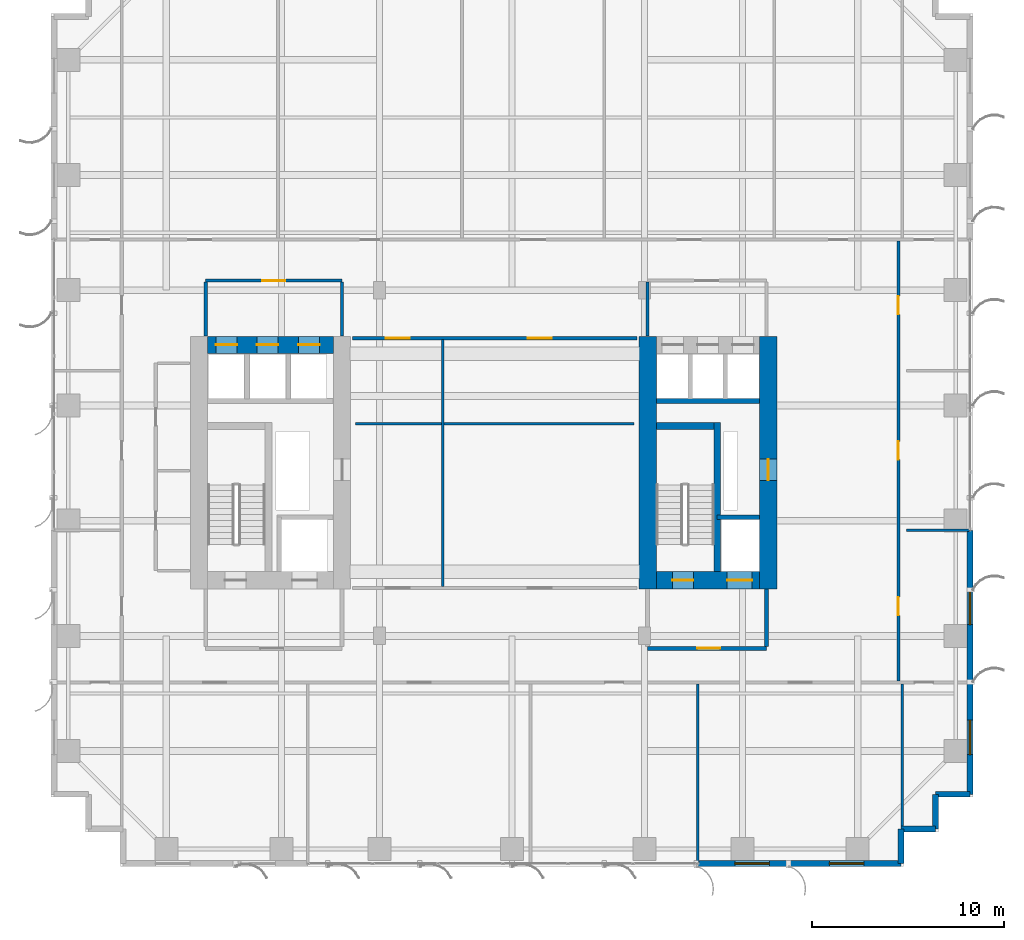
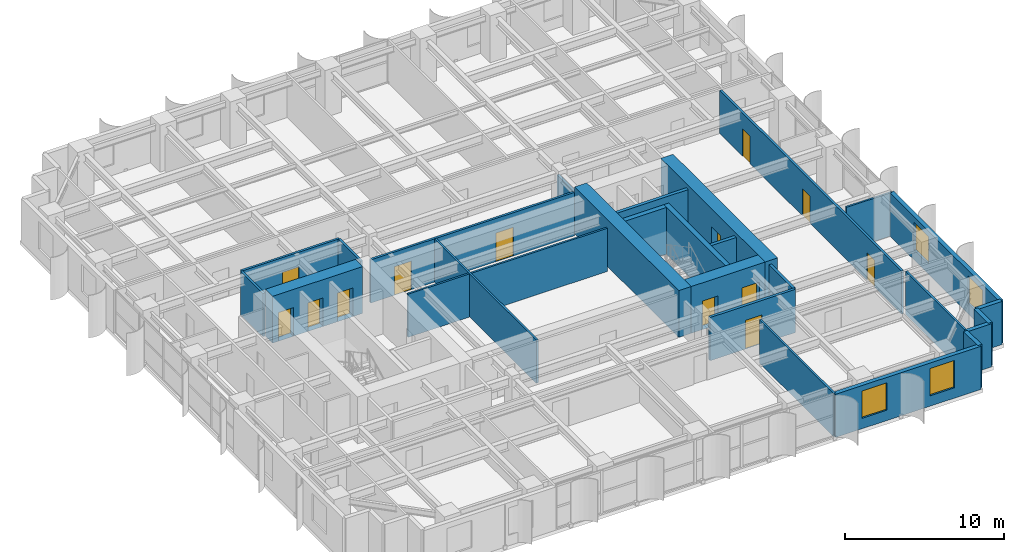
# One storey, part 19 of 25: 27 walls, 13 doors, 4 windows, 17 openings.
"""IFC4 building model written with IfcOpenShell, lengths in metres."""

from ifc_helpers import new_model, si_unit, direction, frame, frame_2d, origin, place, context, subcontext, project, spatial, rectangle, extrude, source, transform, mapped, material, layer, layer_set, type_object, element, fill, save


model = new_model("IFC4")

# Units and contexts
model_context = context("Model", 3, precision=1e-05, world=origin(), true_north=direction((0.0, 1.0)))
body_context = subcontext(model_context, "Body", "Model", "MODEL_VIEW")
ifc_project = project(units=[si_unit("LENGTHUNIT", "METRE"), si_unit("AREAUNIT", "SQUARE_METRE"), si_unit("VOLUMEUNIT", "CUBIC_METRE"), si_unit("PLANEANGLEUNIT", "RADIAN"), si_unit("MASSUNIT", "GRAM", prefix="KILO")], contexts=[model_context])

# Site, building, storey
site_placement = place(None, origin())
site = spatial("IfcSite", under=ifc_project, at=site_placement, CompositionType="ELEMENT")
building_placement = place(site_placement, origin())
building = spatial("IfcBuilding", under=site, at=building_placement, Name="Khoralis Quay Care Tower", CompositionType="ELEMENT")
storey_placement = place(building_placement, frame((0.0, 0.0, 51.300048828125)))
storey = spatial("IfcBuildingStorey", under=building, at=storey_placement, Name="L13", CompositionType="ELEMENT", Elevation=51.300048828125)

# Wall, opening, door
ifc_material_1 = material(Name="Gypsum plasterboard on acoustic metal stud")
ifc_layer_1 = layer(ifc_material_1, 0.199951171875)
ifc_layer_set_1 = layer_set([ifc_layer_1], Name="Gypsum plasterboard on acoustic metal stud")
wall_type_1 = type_object("IfcWallType", Name="WL-COMP-200", PredefinedType="PARTITIONING", material=ifc_layer_set_1)
wall_1_placement = place(storey_placement, frame((31.050048828125, 11.35009765625, 0.0), z_axis=(0.0, 0.0, 1.0), x_axis=(1.0, 0.0, 0.0)))
wall_1 = element("IfcWall", 1, at=wall_1_placement, inside=storey, type_object=wall_type_1, Name="L13 East Firefighting Lobby South Wall", PredefinedType="PARTITIONING", context=body_context, shape_type="SweptSolid", body=[
    extrude(rectangle(XDim=6.199951171875, YDim=0.199951171875, at=frame_2d((3.10009765625, 0.0))), origin(), (0.0, 0.0, 1.0), 3.320068359375),
])
opening_1_placement = place(wall_1_placement, frame((2.585693359375, 0.0, 0.0)))
opening_1 = element("IfcOpeningElement", 2, at=opening_1_placement, cuts=wall_1, Name="Opening FD1", PredefinedType="OPENING", context=body_context, shape_type="SweptSolid", body=[
    extrude(rectangle(XDim=1.199951171875, YDim=2.199951171875, at=frame_2d((0.60009765625, 1.10009765625))), frame((0.0, 0.10986328125, 0.0), z_axis=(0.0, -1.0, 0.0), x_axis=(1.0, 0.0, 0.0)), (0.0, 0.0, 1.0), 0.219970703125),
])
ifc_material_2 = material(Name="Fire-rated painted steel", Category="steel")
door_type_1 = type_object("IfcDoorType", Name="DR-FFL-1200X2200", OperationType="NOTDEFINED", PredefinedType="DOOR", material=ifc_material_2)
shared_shape_1 = source(origin(), body_context, "Body", "SweptSolid", [
    extrude(rectangle(XDim=1.199951171875, YDim=2.199951171875, at=frame_2d((0.60009765625, 1.10009765625))), frame((0.0, 0.02490234375, 0.0), z_axis=(0.0, -1.0, 0.0), x_axis=(1.0, 0.0, 0.0)), (0.0, 0.0, 1.0), 0.050048828125),
])
door_1_placement = place(opening_1_placement, origin())
door_1 = element("IfcDoor", 3, at=door_1_placement, inside=storey, type_object=door_type_1, Name="L13 East Firefighting Lobby Fire Door", OperationType="SINGLE_SWING_RIGHT", OverallHeight=2.199951171875, OverallWidth=1.199951171875, PredefinedType="DOOR", context=body_context, shape_type="MappedRepresentation", body=[
    mapped(shared_shape_1, transform((0.0, 0.0, 0.0), scale=1.0)),
])
fill(opening_1, door_1)

# Wall
wall_2_placement = place(storey_placement, frame((37.25, 11.445068359375, 0.0), z_axis=(0.0, 0.0, 1.0), x_axis=(0.0, 1.0, 0.0)))
element("IfcWall", 4, at=wall_2_placement, inside=storey, type_object=wall_type_1, Name="L13 East Firefighting Lobby East Wall", PredefinedType="PARTITIONING", context=body_context, shape_type="SweptSolid", body=[
    extrude(rectangle(XDim=2.98486328125, YDim=0.199951171875, at=frame_2d((1.492431640625, 0.0))), origin(), (0.0, 0.0, 1.0), 3.320068359375),
])

# Wall, openings, doors
ifc_material_3 = material(Name="Concrete C80/95", Category="concrete")
ifc_layer_2 = layer(ifc_material_3, 0.89990234375)
ifc_layer_set_2 = layer_set([ifc_layer_2], Name="Concrete C80/95")
wall_type_2 = type_object("IfcWallType", Name="WL-CORE-900", PredefinedType="SHEAR", material=ifc_layer_set_2)
wall_3_placement = place(storey_placement, frame((8.14990234375, 27.14990234375, 0.0), z_axis=(0.0, 0.0, 1.0), x_axis=(1.0, 0.0, 0.0)))
wall_3 = element("IfcWall", 5, at=wall_3_placement, inside=storey, type_object=wall_type_2, Name="L13 WCORE North Shear Wall", PredefinedType="SHEAR", context=body_context, shape_type="SweptSolid", body=[
    extrude(rectangle(XDim=6.550048828125, YDim=0.89990234375, at=frame_2d((3.27490234375, 0.0))), origin(), (0.0, 0.0, 1.0), 3.599853515625),
])
opening_2_placement = place(wall_3_placement, frame((0.429931640625, 0.0, 0.0)))
opening_2 = element("IfcOpeningElement", 6, at=opening_2_placement, cuts=wall_3, Name="Opening LD1", PredefinedType="OPENING", context=body_context, shape_type="SweptSolid", body=[
    extrude(rectangle(XDim=1.10009765625, YDim=2.199951171875, at=frame_2d((0.550048828125, 1.10009765625))), frame((0.0, 0.4599609375, 0.0), z_axis=(0.0, -1.0, 0.0), x_axis=(1.0, 0.0, 0.0)), (0.0, 0.0, 1.0), 0.919921875),
])
opening_3_placement = place(wall_3_placement, frame((2.570068359375, 0.0, 0.0)))
opening_3 = element("IfcOpeningElement", 7, at=opening_3_placement, cuts=wall_3, Name="Opening LD1", PredefinedType="OPENING", context=body_context, shape_type="SweptSolid", body=[
    extrude(rectangle(XDim=1.10009765625, YDim=2.199951171875, at=frame_2d((0.550048828125, 1.10009765625))), frame((0.0, 0.4599609375, 0.0), z_axis=(0.0, -1.0, 0.0), x_axis=(1.0, 0.0, 0.0)), (0.0, 0.0, 1.0), 0.919921875),
])
opening_4_placement = place(wall_3_placement, frame((4.72998046875, 0.0, 0.0)))
opening_4 = element("IfcOpeningElement", 8, at=opening_4_placement, cuts=wall_3, Name="Opening LD1", PredefinedType="OPENING", context=body_context, shape_type="SweptSolid", body=[
    extrude(rectangle(XDim=1.10009765625, YDim=2.199951171875, at=frame_2d((0.550048828125, 1.10009765625))), frame((0.0, 0.4599609375, 0.0), z_axis=(0.0, -1.0, 0.0), x_axis=(1.0, 0.0, 0.0)), (0.0, 0.0, 1.0), 0.919921875),
])
ifc_material_4 = material(Name="Brushed stainless steel", Category="steel")
door_type_2 = type_object("IfcDoorType", Name="DR-LIFT-1100X2200", OperationType="SLIDING_TO_LEFT", PredefinedType="DOOR", material=ifc_material_4)
shared_shape_2 = source(origin(), body_context, "Body", "SweptSolid", [
    extrude(rectangle(XDim=1.10009765625, YDim=2.199951171875, at=frame_2d((0.550048828125, 1.10009765625))), frame((0.0, 0.02490234375, 0.0), z_axis=(0.0, -1.0, 0.0), x_axis=(1.0, 0.0, 0.0)), (0.0, 0.0, 1.0), 0.050048828125),
])
door_2_placement = place(opening_2_placement, origin())
door_2 = element("IfcDoor", 9, at=door_2_placement, inside=storey, type_object=door_type_2, Name="L13 Lift PLL1 Landing Door", OperationType="SLIDING_TO_LEFT", OverallHeight=2.199951171875, OverallWidth=1.10009765625, PredefinedType="DOOR", context=body_context, shape_type="MappedRepresentation", body=[
    mapped(shared_shape_2, transform((0.0, 0.0, 0.0), scale=1.0)),
])
fill(opening_2, door_2)
door_3_placement = place(opening_3_placement, origin())
door_3 = element("IfcDoor", 10, at=door_3_placement, inside=storey, type_object=door_type_2, Name="L13 Lift PLM1 Landing Door", OperationType="SLIDING_TO_LEFT", OverallHeight=2.199951171875, OverallWidth=1.10009765625, PredefinedType="DOOR", context=body_context, shape_type="MappedRepresentation", body=[
    mapped(shared_shape_2, transform((0.0, 0.0, 0.0), scale=1.0)),
])
fill(opening_3, door_3)
door_4_placement = place(opening_4_placement, origin())
door_4 = element("IfcDoor", 11, at=door_4_placement, inside=storey, type_object=door_type_2, Name="L13 Lift PLH1 Landing Door", OperationType="SLIDING_TO_LEFT", OverallHeight=2.199951171875, OverallWidth=1.10009765625, PredefinedType="DOOR", context=body_context, shape_type="MappedRepresentation", body=[
    mapped(shared_shape_2, transform((0.0, 0.0, 0.0), scale=1.0)),
])
fill(opening_4, door_4)

# Wall
wall_4_placement = place(storey_placement, frame((31.070068359375, 14.449951171875, 0.0), z_axis=(0.0, 0.0, 1.0), x_axis=(0.0, 1.0, 0.0)))
element("IfcWall", 12, at=wall_4_placement, inside=storey, type_object=wall_type_2, Name="L13 ECORE West Shear Wall", PredefinedType="SHEAR", context=body_context, shape_type="SweptSolid", body=[
    extrude(rectangle(XDim=13.150146484375, YDim=0.89990234375, at=frame_2d((6.5751953125, 0.0))), origin(), (0.0, 0.0, 1.0), 3.599853515625),
])

# Wall, opening, door
wall_5_placement = place(storey_placement, frame((37.35009765625, 14.449951171875, 0.0), z_axis=(0.0, 0.0, 1.0), x_axis=(0.0, 1.0, 0.0)))
wall_5 = element("IfcWall", 13, at=wall_5_placement, inside=storey, type_object=wall_type_2, Name="L13 ECORE East Shear Wall", PredefinedType="SHEAR", context=body_context, shape_type="SweptSolid", body=[
    extrude(rectangle(XDim=13.150146484375, YDim=0.89990234375, at=frame_2d((6.5751953125, 0.0))), origin(), (0.0, 0.0, 1.0), 3.599853515625),
])
opening_5_placement = place(wall_5_placement, frame((5.64990234375, 0.0, 0.0)))
opening_5 = element("IfcOpeningElement", 14, at=opening_5_placement, cuts=wall_5, Name="Opening SD1", PredefinedType="OPENING", context=body_context, shape_type="SweptSolid", body=[
    extrude(rectangle(XDim=1.10009765625, YDim=2.199951171875, at=frame_2d((0.550048828125, 1.10009765625))), frame((0.0, 0.4599609375, 0.0), z_axis=(0.0, -1.0, 0.0), x_axis=(1.0, 0.0, 0.0)), (0.0, 0.0, 1.0), 0.919921875),
])
door_type_3 = type_object("IfcDoorType", Name="DR-STAIR-1100X2200", OperationType="NOTDEFINED", PredefinedType="DOOR", material=ifc_material_2)
shared_shape_3 = source(origin(), body_context, "Body", "SweptSolid", [
    extrude(rectangle(XDim=1.10009765625, YDim=2.199951171875, at=frame_2d((0.550048828125, 1.10009765625))), frame((0.0, 0.02490234375, 0.0), z_axis=(0.0, -1.0, 0.0), x_axis=(1.0, 0.0, 0.0)), (0.0, 0.0, 1.0), 0.050048828125),
])
door_5_placement = place(opening_5_placement, frame((1.10009765625, 0.0, 0.0), z_axis=(0.0, 0.0, 1.0), x_axis=(-1.0, 0.0, 0.0)))
door_5 = element("IfcDoor", 15, at=door_5_placement, inside=storey, type_object=door_type_3, Name="L13 East MEP Riser Door", OperationType="SINGLE_SWING_RIGHT", OverallHeight=2.199951171875, OverallWidth=1.10009765625, PredefinedType="DOOR", context=body_context, shape_type="MappedRepresentation", body=[
    mapped(shared_shape_3, transform((0.0, 0.0, 0.0), scale=1.0)),
])
fill(opening_5, door_5)

# Wall, openings, doors
wall_6_placement = place(storey_placement, frame((31.52001953125, 14.89990234375, 0.0), z_axis=(0.0, 0.0, 1.0), x_axis=(1.0, 0.0, 0.0)))
wall_6 = element("IfcWall", 16, at=wall_6_placement, inside=storey, type_object=wall_type_2, Name="L13 ECORE South Shear Wall", PredefinedType="SHEAR", context=body_context, shape_type="SweptSolid", body=[
    extrude(rectangle(XDim=5.3798828125, YDim=0.89990234375, at=frame_2d((2.68994140625, 0.0))), origin(), (0.0, 0.0, 1.0), 3.599853515625),
])
opening_6_placement = place(wall_6_placement, frame((0.830078125, 0.0, 0.0)))
opening_6 = element("IfcOpeningElement", 17, at=opening_6_placement, cuts=wall_6, Name="Opening SD1", PredefinedType="OPENING", context=body_context, shape_type="SweptSolid", body=[
    extrude(rectangle(XDim=1.10009765625, YDim=2.199951171875, at=frame_2d((0.550048828125, 1.10009765625))), frame((0.0, 0.4599609375, 0.0), z_axis=(0.0, -1.0, 0.0), x_axis=(1.0, 0.0, 0.0)), (0.0, 0.0, 1.0), 0.919921875),
])
opening_7_placement = place(wall_6_placement, frame((3.679931640625, 0.0, 0.0)))
opening_7 = element("IfcOpeningElement", 18, at=opening_7_placement, cuts=wall_6, Name="Opening LD2", PredefinedType="OPENING", context=body_context, shape_type="SweptSolid", body=[
    extrude(rectangle(XDim=1.300048828125, YDim=2.199951171875, at=frame_2d((0.64990234375, 1.10009765625))), frame((0.0, 0.4599609375, 0.0), z_axis=(0.0, -1.0, 0.0), x_axis=(1.0, 0.0, 0.0)), (0.0, 0.0, 1.0), 0.919921875),
])
door_6_placement = place(opening_6_placement, origin())
door_6 = element("IfcDoor", 19, at=door_6_placement, inside=storey, type_object=door_type_3, Name="L13 Stair ST-T2 Fire Door", OperationType="SINGLE_SWING_RIGHT", OverallHeight=2.199951171875, OverallWidth=1.10009765625, PredefinedType="DOOR", context=body_context, shape_type="MappedRepresentation", body=[
    mapped(shared_shape_3, transform((0.0, 0.0, 0.0), scale=1.0)),
])
fill(opening_6, door_6)
door_type_4 = type_object("IfcDoorType", Name="DR-LIFT-1300X2200", OperationType="SLIDING_TO_RIGHT", PredefinedType="DOOR", material=ifc_material_4)
shared_shape_4 = source(origin(), body_context, "Body", "SweptSolid", [
    extrude(rectangle(XDim=1.300048828125, YDim=2.199951171875, at=frame_2d((0.64990234375, 1.10009765625))), frame((0.0, 0.02490234375, 0.0), z_axis=(0.0, -1.0, 0.0), x_axis=(1.0, 0.0, 0.0)), (0.0, 0.0, 1.0), 0.050048828125),
])
door_7_placement = place(opening_7_placement, origin())
door_7 = element("IfcDoor", 20, at=door_7_placement, inside=storey, type_object=door_type_4, Name="L13 Firefighting Lift FFL-2 Landing Door", OperationType="SLIDING_TO_RIGHT", OverallHeight=2.199951171875, OverallWidth=1.300048828125, PredefinedType="DOOR", context=body_context, shape_type="MappedRepresentation", body=[
    mapped(shared_shape_4, transform((0.0, 0.0, 0.0), scale=1.0)),
])
fill(opening_7, door_7)

# Wall, opening, door
ifc_layer_3 = layer(ifc_material_1, 0.1650390625)
ifc_layer_set_3 = layer_set([ifc_layer_3], Name="Gypsum plasterboard on acoustic metal stud")
wall_type_3 = type_object("IfcWallType", Name="WL-CORR-165", PredefinedType="PARTITIONING", material=ifc_layer_set_3)
wall_7_placement = place(storey_placement, frame((8.050048828125, 30.5, 0.0), z_axis=(0.0, 0.0, 1.0), x_axis=(1.0, 0.0, 0.0)))
wall_7 = element("IfcWall", 21, at=wall_7_placement, inside=storey, type_object=wall_type_3, Name="L13 West Lift Lobby North Wall", PredefinedType="PARTITIONING", context=body_context, shape_type="SweptSolid", body=[
    extrude(rectangle(XDim=7.099853515625, YDim=0.1650390625, at=frame_2d((3.5498046875, 0.0))), origin(), (0.0, 0.0, 1.0), 3.320068359375),
])
opening_8_placement = place(wall_7_placement, frame((2.949951171875, 0.0, 0.0)))
opening_8 = element("IfcOpeningElement", 22, at=opening_8_placement, cuts=wall_7, Name="Opening FD1", PredefinedType="OPENING", context=body_context, shape_type="SweptSolid", body=[
    extrude(rectangle(XDim=1.199951171875, YDim=2.199951171875, at=frame_2d((0.60009765625, 1.10009765625))), frame((0.0, 0.092529296875, 0.0), z_axis=(0.0, -1.0, 0.0), x_axis=(1.0, 0.0, 0.0)), (0.0, 0.0, 1.0), 0.18505859375),
])
door_8_placement = place(opening_8_placement, origin())
door_8 = element("IfcDoor", 23, at=door_8_placement, inside=storey, type_object=door_type_1, Name="L13 West Lift Lobby Double Door", OperationType="DOUBLE_DOOR_SINGLE_SWING", OverallHeight=2.199951171875, OverallWidth=1.199951171875, PredefinedType="DOOR", context=body_context, shape_type="MappedRepresentation", body=[
    mapped(shared_shape_1, transform((0.0, 0.0, 0.0), scale=1.0)),
])
fill(opening_8, door_8)

# Walls
for number, where, z_axis, x_axis, name in (
    (24, (8.050048828125, 27.6201171875, 0.0), (0.0, 0.0, 1.0), (0.0, 1.0, 0.0), "L13 West Lift Lobby West Wall"),
    (25, (15.14990234375, 27.6201171875, 0.0), (0.0, 0.0, 1.0), (0.0, 1.0, 0.0), "L13 West Lift Lobby East Wall"),
):
    element("IfcWall", number, at=place(storey_placement, frame(where, z_axis=z_axis, x_axis=x_axis)), inside=storey, type_object=wall_type_3, Name=name, PredefinedType="PARTITIONING", context=body_context, shape_type="SweptSolid", body=[
        extrude(rectangle(XDim=2.802490234375, YDim=0.1650390625, at=frame_2d((1.4013671875, 0.0))), origin(), (0.0, 0.0, 1.0), 3.320068359375),
    ])
wall_8_placement = place(storey_placement, frame((31.050048828125, 27.6201171875, 0.0), z_axis=(0.0, 0.0, 1.0), x_axis=(0.0, 1.0, 0.0)))
element("IfcWall", 26, at=wall_8_placement, inside=storey, type_object=wall_type_3, Name="L13 East Lift Lobby West Wall", PredefinedType="PARTITIONING", context=body_context, shape_type="SweptSolid", body=[
    extrude(rectangle(XDim=2.802490234375, YDim=0.1650390625, at=frame_2d((1.4013671875, 0.0))), origin(), (0.0, 0.0, 1.0), 2.703857421875),
])

# Wall, openings, doors
wall_9_placement = place(storey_placement, frame((44.1201171875, 9.657470703125, 0.0), z_axis=(0.0, 0.0, 1.0), x_axis=(0.0, 1.0, 0.0)))
wall_9 = element("IfcWall", 27, at=wall_9_placement, inside=storey, type_object=wall_type_3, Name="L13 East Loop Corridor Wall", PredefinedType="PARTITIONING", context=body_context, shape_type="SweptSolid", body=[
    extrude(rectangle(XDim=22.905029296875, YDim=0.1650390625, at=frame_2d((11.45263671875, 0.0))), origin(), (0.0, 0.0, 1.0), 3.320068359375),
])
opening_9_placement = place(wall_9_placement, frame((3.407470703125, 0.0, 0.0)))
opening_9 = element("IfcOpeningElement", 28, at=opening_9_placement, cuts=wall_9, Name="Opening ID1", PredefinedType="OPENING", context=body_context, shape_type="SweptSolid", body=[
    extrude(rectangle(XDim=0.949951171875, YDim=2.10009765625, at=frame_2d((0.47509765625, 1.050048828125))), frame((0.0, 0.092529296875, 0.0), z_axis=(0.0, -1.0, 0.0), x_axis=(1.0, 0.0, 0.0)), (0.0, 0.0, 1.0), 0.18505859375),
])
opening_10_placement = place(wall_9_placement, frame((11.517578125, 0.0, 0.0)))
opening_10 = element("IfcOpeningElement", 29, at=opening_10_placement, cuts=wall_9, Name="Opening ID1", PredefinedType="OPENING", context=body_context, shape_type="SweptSolid", body=[
    extrude(rectangle(XDim=0.949951171875, YDim=2.10009765625, at=frame_2d((0.47509765625, 1.050048828125))), frame((0.0, 0.092529296875, 0.0), z_axis=(0.0, -1.0, 0.0), x_axis=(1.0, 0.0, 0.0)), (0.0, 0.0, 1.0), 0.18505859375),
])
opening_11_placement = place(wall_9_placement, frame((19.08740234375, 0.0, 0.0)))
opening_11 = element("IfcOpeningElement", 30, at=opening_11_placement, cuts=wall_9, Name="Opening ID1", PredefinedType="OPENING", context=body_context, shape_type="SweptSolid", body=[
    extrude(rectangle(XDim=0.949951171875, YDim=2.10009765625, at=frame_2d((0.47509765625, 1.050048828125))), frame((0.0, 0.092529296875, 0.0), z_axis=(0.0, -1.0, 0.0), x_axis=(1.0, 0.0, 0.0)), (0.0, 0.0, 1.0), 0.18505859375),
])
ifc_material_5 = material(Name="Acoustic hardwood timber", Category="wood")
door_type_5 = type_object("IfcDoorType", Name="DR-ROOM-950X2100", OperationType="NOTDEFINED", PredefinedType="DOOR", material=ifc_material_5)
shared_shape_5 = source(origin(), body_context, "Body", "SweptSolid", [
    extrude(rectangle(XDim=0.949951171875, YDim=2.10009765625, at=frame_2d((0.47509765625, 1.050048828125))), frame((0.0, 0.02490234375, 0.0), z_axis=(0.0, -1.0, 0.0), x_axis=(1.0, 0.0, 0.0)), (0.0, 0.0, 1.0), 0.050048828125),
])
door_9_placement = place(opening_9_placement, frame((0.949951171875, 0.0, 0.0), z_axis=(0.0, 0.0, 1.0), x_axis=(-1.0, 0.0, 0.0)))
door_9 = element("IfcDoor", 31, at=door_9_placement, inside=storey, type_object=door_type_5, Name="L13 Therapy Consultation Room Door", OperationType="SINGLE_SWING_LEFT", OverallHeight=2.10009765625, OverallWidth=0.949951171875, PredefinedType="DOOR", context=body_context, shape_type="MappedRepresentation", body=[
    mapped(shared_shape_5, transform((0.0, 0.0, 0.0), scale=1.0)),
])
fill(opening_9, door_9)
door_10_placement = place(opening_10_placement, frame((0.949951171875, 0.0, 0.0), z_axis=(0.0, 0.0, 1.0), x_axis=(-1.0, 0.0, 0.0)))
door_10 = element("IfcDoor", 32, at=door_10_placement, inside=storey, type_object=door_type_5, Name="L13 Assisted Activity Lounge Door", OperationType="SINGLE_SWING_RIGHT", OverallHeight=2.10009765625, OverallWidth=0.949951171875, PredefinedType="DOOR", context=body_context, shape_type="MappedRepresentation", body=[
    mapped(shared_shape_5, transform((0.0, 0.0, 0.0), scale=1.0)),
])
fill(opening_10, door_10)
door_11_placement = place(opening_11_placement, frame((0.949951171875, 0.0, 0.0), z_axis=(0.0, 0.0, 1.0), x_axis=(-1.0, 0.0, 0.0)))
door_11 = element("IfcDoor", 33, at=door_11_placement, inside=storey, type_object=door_type_5, Name="L13 Nurse Charting Office Door", OperationType="SINGLE_SWING_LEFT", OverallHeight=2.10009765625, OverallWidth=0.949951171875, PredefinedType="DOOR", context=body_context, shape_type="MappedRepresentation", body=[
    mapped(shared_shape_5, transform((0.0, 0.0, 0.0), scale=1.0)),
])
fill(opening_11, door_11)

wall_10_placement = place(storey_placement, frame((15.699951171875, 27.5, 0.0), z_axis=(0.0, 0.0, 1.0), x_axis=(1.0, 0.0, 0.0)))
wall_10 = element("IfcWall", 34, at=wall_10_placement, inside=storey, type_object=wall_type_3, Name="L13 Central Clinical North Wall", PredefinedType="PARTITIONING", context=body_context, shape_type="SweptSolid", body=[
    extrude(rectangle(XDim=14.800048828125, YDim=0.1650390625, at=frame_2d((7.39990234375, 0.0))), origin(), (0.0, 0.0, 1.0), 3.320068359375),
])
opening_12_placement = place(wall_10_placement, frame((1.72509765625, 0.0, 0.0)))
opening_12 = element("IfcOpeningElement", 35, at=opening_12_placement, cuts=wall_10, Name="Opening CD1", PredefinedType="OPENING", context=body_context, shape_type="SweptSolid", body=[
    extrude(rectangle(XDim=1.25, YDim=2.199951171875, at=frame_2d((0.625, 1.10009765625))), frame((0.0, 0.092529296875, 0.0), z_axis=(0.0, -1.0, 0.0), x_axis=(1.0, 0.0, 0.0)), (0.0, 0.0, 1.0), 0.18505859375),
])
opening_13_placement = place(wall_10_placement, frame((9.125, 0.0, 0.0)))
opening_13 = element("IfcOpeningElement", 36, at=opening_13_placement, cuts=wall_10, Name="Opening CD1", PredefinedType="OPENING", context=body_context, shape_type="SweptSolid", body=[
    extrude(rectangle(XDim=1.25, YDim=2.199951171875, at=frame_2d((0.625, 1.10009765625))), frame((0.0, 0.092529296875, 0.0), z_axis=(0.0, -1.0, 0.0), x_axis=(1.0, 0.0, 0.0)), (0.0, 0.0, 1.0), 0.18505859375),
])
door_type_6 = type_object("IfcDoorType", Name="DR-CARE-1250X2200", OperationType="NOTDEFINED", PredefinedType="DOOR", material=ifc_material_5)
shared_shape_6 = source(origin(), body_context, "Body", "SweptSolid", [
    extrude(rectangle(XDim=1.25, YDim=2.199951171875, at=frame_2d((0.625, 1.10009765625))), frame((0.0, 0.02490234375, 0.0), z_axis=(0.0, -1.0, 0.0), x_axis=(1.0, 0.0, 0.0)), (0.0, 0.0, 1.0), 0.050048828125),
])
door_12_placement = place(opening_12_placement, frame((1.25, 0.0, 0.0), z_axis=(0.0, 0.0, 1.0), x_axis=(-1.0, 0.0, 0.0)))
door_12 = element("IfcDoor", 37, at=door_12_placement, inside=storey, type_object=door_type_6, Name="L13 Library Lounge Door", OperationType="SINGLE_SWING_LEFT", OverallHeight=2.199951171875, OverallWidth=1.25, PredefinedType="DOOR", context=body_context, shape_type="MappedRepresentation", body=[
    mapped(shared_shape_6, transform((0.0, 0.0, 0.0), scale=1.0)),
])
fill(opening_12, door_12)
door_13_placement = place(opening_13_placement, frame((1.25, 0.0, 0.0), z_axis=(0.0, 0.0, 1.0), x_axis=(-1.0, 0.0, 0.0)))
door_13 = element("IfcDoor", 38, at=door_13_placement, inside=storey, type_object=door_type_6, Name="L13 Occupational Therapy Door", OperationType="SINGLE_SWING_RIGHT", OverallHeight=2.199951171875, OverallWidth=1.25, PredefinedType="DOOR", context=body_context, shape_type="MappedRepresentation", body=[
    mapped(shared_shape_6, transform((0.0, 0.0, 0.0), scale=1.0)),
])
fill(opening_13, door_13)

# Wall, openings, windows
ifc_material_6 = material(Name="Precast concrete C45/55", Category="concrete")
ifc_layer_4 = layer(ifc_material_6, 0.300048828125)
ifc_layer_set_4 = layer_set([ifc_layer_4], Name="Precast concrete C45/55")
wall_type_4 = type_object("IfcWallType", Name="WL-EXT-REF-300", PredefinedType="SOLIDWALL", material=ifc_layer_set_4)
wall_11_placement = place(storey_placement, frame((33.679931640625, 0.14990234375, 0.0), z_axis=(0.0, 0.0, 1.0), x_axis=(1.0, 0.0, 0.0)))
wall_11 = element("IfcWall", 39, at=wall_11_placement, inside=storey, type_object=wall_type_4, Name="L13 External Facade Wall WL-EXT-L13-P1-E0B", PredefinedType="SOLIDWALL", context=body_context, shape_type="SweptSolid", body=[
    extrude(rectangle(XDim=10.570068359375, YDim=0.300048828125, at=frame_2d((5.28515625, 0.0))), origin(), (0.0, 0.0, 1.0), 3.320068359375),
])
opening_14_placement = place(wall_11_placement, frame((1.922607421875, 0.0, 0.800048828125)))
opening_14 = element("IfcOpeningElement", 40, at=opening_14_placement, cuts=wall_11, Name="Opening W2", PredefinedType="OPENING", context=body_context, shape_type="SweptSolid", body=[
    extrude(rectangle(XDim=1.800048828125, YDim=2.10009765625, at=frame_2d((0.89990234375, 1.050048828125))), frame((0.0, 0.16015625, 0.0), z_axis=(0.0, -1.0, 0.0), x_axis=(1.0, 0.0, 0.0)), (0.0, 0.0, 1.0), 0.320068359375),
])
opening_15_placement = place(wall_11_placement, frame((6.847412109375, 0.0, 0.800048828125)))
opening_15 = element("IfcOpeningElement", 41, at=opening_15_placement, cuts=wall_11, Name="Opening W2", PredefinedType="OPENING", context=body_context, shape_type="SweptSolid", body=[
    extrude(rectangle(XDim=1.800048828125, YDim=2.10009765625, at=frame_2d((0.89990234375, 1.050048828125))), frame((0.0, 0.16015625, 0.0), z_axis=(0.0, -1.0, 0.0), x_axis=(1.0, 0.0, 0.0)), (0.0, 0.0, 1.0), 0.320068359375),
])
ifc_material_7 = material(Name="Low-E solar-control double glazing", Category="glass")
window_type = type_object("IfcWindowType", Name="WN-POD-1800X2100", PartitioningType="SINGLE_PANEL", PredefinedType="WINDOW", material=ifc_material_7)
shared_shape_7 = source(origin(), body_context, "Body", "SweptSolid", [
    extrude(rectangle(XDim=1.800048828125, YDim=2.10009765625, at=frame_2d((0.89990234375, 1.050048828125))), frame((0.0, 0.030029296875, 0.0), z_axis=(0.0, -1.0, 0.0), x_axis=(1.0, 0.0, 0.0)), (0.0, 0.0, 1.0), 0.06005859375),
])
window_1_placement = place(opening_14_placement, origin())
window_1 = element("IfcWindow", 42, at=window_1_placement, inside=storey, type_object=window_type, Name="WN-L13-P1-E0B Facade Window 01", OverallHeight=2.10009765625, OverallWidth=1.800048828125, PartitioningType="SINGLE_PANEL", PredefinedType="WINDOW", context=body_context, shape_type="MappedRepresentation", body=[
    mapped(shared_shape_7, transform((0.0, 0.0, 0.0), scale=1.0)),
])
fill(opening_14, window_1)
window_2_placement = place(opening_15_placement, origin())
window_2 = element("IfcWindow", 43, at=window_2_placement, inside=storey, type_object=window_type, Name="WN-L13-P1-E0B Facade Window 02", OverallHeight=2.10009765625, OverallWidth=1.800048828125, PartitioningType="SINGLE_PANEL", PredefinedType="WINDOW", context=body_context, shape_type="MappedRepresentation", body=[
    mapped(shared_shape_7, transform((0.0, 0.0, 0.0), scale=1.0)),
])
fill(opening_15, window_2)

# Walls
for number, where, z_axis, x_axis, name in (
    (44, (44.25, 0.14990234375, 0.0), (0.0, 0.0, 1.0), (0.0, 1.0, 0.0), "L13 External Facade Wall WL-EXT-L13-P1-C1"),
    (45, (44.25, 1.949951171875, 0.0), (0.0, 0.0, 1.0), (1.0, 0.0, 0.0), "L13 External Facade Wall WL-EXT-L13-P1-C2"),
    (46, (46.050048828125, 1.949951171875, 0.0), (0.0, 0.0, 1.0), (0.0, 1.0, 0.0), "L13 External Facade Wall WL-EXT-L13-P1-C3"),
    (47, (46.050048828125, 3.75, 0.0), (0.0, 0.0, 1.0), (1.0, 0.0, 0.0), "L13 External Facade Wall WL-EXT-L13-P1-C4"),
):
    element("IfcWall", number, at=place(storey_placement, frame(where, z_axis=z_axis, x_axis=x_axis)), inside=storey, type_object=wall_type_4, Name=name, PredefinedType="SOLIDWALL", context=body_context, shape_type="SweptSolid", body=[
        extrude(rectangle(XDim=1.800048828125, YDim=0.300048828125, at=frame_2d((0.89990234375, 0.0))), origin(), (0.0, 0.0, 1.0), 3.320068359375),
    ])

# Wall, openings, windows
wall_12_placement = place(storey_placement, frame((47.85009765625, 3.75, 0.0), z_axis=(0.0, 0.0, 1.0), x_axis=(0.0, 1.0, 0.0)))
wall_12 = element("IfcWall", 48, at=wall_12_placement, inside=storey, type_object=wall_type_4, Name="L13 External Facade Wall WL-EXT-L13-P1-E5A", PredefinedType="SOLIDWALL", context=body_context, shape_type="SweptSolid", body=[
    extrude(rectangle(XDim=13.75, YDim=0.300048828125, at=frame_2d((6.875, 0.0))), origin(), (0.0, 0.0, 1.0), 3.320068359375),
])
opening_16_placement = place(wall_12_placement, frame((2.06494140625, 0.0, 0.800048828125)))
opening_16 = element("IfcOpeningElement", 49, at=opening_16_placement, cuts=wall_12, Name="Opening W2", PredefinedType="OPENING", context=body_context, shape_type="SweptSolid", body=[
    extrude(rectangle(XDim=1.800048828125, YDim=2.10009765625, at=frame_2d((0.89990234375, 1.050048828125))), frame((0.0, 0.16015625, 0.0), z_axis=(0.0, -1.0, 0.0), x_axis=(1.0, 0.0, 0.0)), (0.0, 0.0, 1.0), 0.320068359375),
])
opening_17_placement = place(wall_12_placement, frame((8.840087890625, 0.0, 0.800048828125)))
opening_17 = element("IfcOpeningElement", 50, at=opening_17_placement, cuts=wall_12, Name="Opening W2", PredefinedType="OPENING", context=body_context, shape_type="SweptSolid", body=[
    extrude(rectangle(XDim=1.800048828125, YDim=2.10009765625, at=frame_2d((0.89990234375, 1.050048828125))), frame((0.0, 0.16015625, 0.0), z_axis=(0.0, -1.0, 0.0), x_axis=(1.0, 0.0, 0.0)), (0.0, 0.0, 1.0), 0.320068359375),
])
window_3_placement = place(opening_16_placement, origin())
window_3 = element("IfcWindow", 51, at=window_3_placement, inside=storey, type_object=window_type, Name="WN-L13-P1-E5A Facade Window 01", OverallHeight=2.10009765625, OverallWidth=1.800048828125, PartitioningType="SINGLE_PANEL", PredefinedType="WINDOW", context=body_context, shape_type="MappedRepresentation", body=[
    mapped(shared_shape_7, transform((0.0, 0.0, 0.0), scale=1.0)),
])
fill(opening_16, window_3)
window_4_placement = place(opening_17_placement, origin())
window_4 = element("IfcWindow", 52, at=window_4_placement, inside=storey, type_object=window_type, Name="WN-L13-P1-E5A Facade Window 02", OverallHeight=2.10009765625, OverallWidth=1.800048828125, PartitioningType="SINGLE_PANEL", PredefinedType="WINDOW", context=body_context, shape_type="MappedRepresentation", body=[
    mapped(shared_shape_7, transform((0.0, 0.0, 0.0), scale=1.0)),
])
fill(opening_17, window_4)

# Walls
ifc_material_8 = material(Name="Concrete C40/50", Category="concrete")
ifc_layer_5 = layer(ifc_material_8, 0.35009765625)
ifc_layer_set_5 = layer_set([ifc_layer_5], Name="Concrete C40/50")
wall_type_5 = type_object("IfcWallType", Name="WL-SC-CORE-350", PredefinedType="SHEAR", material=ifc_layer_set_5)
wall_13_placement = place(storey_placement, frame((34.695068359375, 15.35009765625, 0.0), z_axis=(0.0, 0.0, 1.0), x_axis=(0.0, 1.0, 0.0)))
element("IfcWall", 53, at=wall_13_placement, inside=storey, type_object=wall_type_5, Name="L13 Stair ST-T2 Shear Baffle Wall East", PredefinedType="SHEAR", context=body_context, shape_type="SweptSolid", body=[
    extrude(rectangle(XDim=7.75, YDim=0.35009765625, at=frame_2d((3.875, 0.0))), origin(), (0.0, 0.0, 1.0), 3.599853515625),
])
wall_14_placement = place(storey_placement, frame((31.52001953125, 22.925048828125, 0.0), z_axis=(0.0, 0.0, 1.0), x_axis=(1.0, 0.0, 0.0)))
element("IfcWall", 54, at=wall_14_placement, inside=storey, type_object=wall_type_5, Name="L13 Stair ST-T2 Shear Baffle Wall North", PredefinedType="SHEAR", context=body_context, shape_type="SweptSolid", body=[
    extrude(rectangle(XDim=3.0, YDim=0.35009765625, at=frame_2d((1.5, 0.0))), origin(), (0.0, 0.0, 1.0), 3.599853515625),
])
ifc_layer_6 = layer(ifc_material_1, 0.239990234375)
ifc_layer_set_6 = layer_set([ifc_layer_6], Name="Gypsum plasterboard on acoustic metal stud")
wall_type_6 = type_object("IfcWallType", Name="WL-SHAFT-240", PredefinedType="PARTITIONING", material=ifc_layer_set_6)
wall_15_placement = place(storey_placement, frame((34.679931640625, 18.169921875, 0.0), z_axis=(0.0, 0.0, 1.0), x_axis=(1.0, 0.0, 0.0)))
element("IfcWall", 55, at=wall_15_placement, inside=storey, type_object=wall_type_6, Name="L13 FFL-2 Shaft Wall North", PredefinedType="PARTITIONING", context=body_context, shape_type="SweptSolid", body=[
    extrude(rectangle(XDim=2.199951171875, YDim=0.239990234375, at=frame_2d((1.10009765625, 0.0))), origin(), (0.0, 0.0, 1.0), 3.320068359375),
])
wall_16_placement = place(storey_placement, frame((31.52001953125, 24.22998046875, 0.0), z_axis=(0.0, 0.0, 1.0), x_axis=(1.0, 0.0, 0.0)))
element("IfcWall", 56, at=wall_16_placement, inside=storey, type_object=wall_type_6, Name="L13 East Passenger Shaft South Wall", PredefinedType="PARTITIONING", context=body_context, shape_type="SweptSolid", body=[
    extrude(rectangle(XDim=5.35986328125, YDim=0.239990234375, at=frame_2d((2.679931640625, 0.0))), origin(), (0.0, 0.0, 1.0), 3.320068359375),
])
ifc_layer_7 = layer(ifc_material_1, 0.139892578125)
ifc_layer_set_7 = layer_set([ifc_layer_7], Name="Gypsum plasterboard on acoustic metal stud")
wall_type_7 = type_object("IfcWallType", Name="WL-UNIT-140", PredefinedType="PARTITIONING", material=ifc_layer_set_7)
wall_17_placement = place(storey_placement, frame((44.5400390625, 17.5, 0.0), z_axis=(0.0, 0.0, 1.0), x_axis=(1.0, 0.0, 0.0)))
element("IfcWall", 57, at=wall_17_placement, inside=storey, type_object=wall_type_7, Name="L13 EE Divider 1", PredefinedType="PARTITIONING", context=body_context, shape_type="SweptSolid", body=[
    extrude(rectangle(XDim=3.31494140625, YDim=0.139892578125, at=frame_2d((1.657470703125, 0.0))), origin(), (0.0, 0.0, 1.0), 3.320068359375),
])
wall_18_placement = place(storey_placement, frame((20.39990234375, 14.577392578125, 0.0), z_axis=(0.0, 0.0, 1.0), x_axis=(0.0, 1.0, 0.0)))
element("IfcWall", 58, at=wall_18_placement, inside=storey, type_object=wall_type_7, Name="L13 Central Split V", PredefinedType="PARTITIONING", context=body_context, shape_type="SweptSolid", body=[
    extrude(rectangle(XDim=12.84521484375, YDim=0.139892578125, at=frame_2d((6.422607421875, 0.0))), origin(), (0.0, 0.0, 1.0), 3.320068359375),
])
wall_19_placement = place(storey_placement, frame((15.85009765625, 23.050048828125, 0.0), z_axis=(0.0, 0.0, 1.0), x_axis=(1.0, 0.0, 0.0)))
element("IfcWall", 59, at=wall_19_placement, inside=storey, type_object=wall_type_7, Name="L13 Central Split H", PredefinedType="PARTITIONING", context=body_context, shape_type="SweptSolid", body=[
    extrude(rectangle(XDim=14.5, YDim=0.139892578125, at=frame_2d((7.25, 0.0))), origin(), (0.0, 0.0, 1.0), 3.320068359375),
])
wall_20_placement = place(storey_placement, frame((33.679931640625, 0.14501953125, 0.0), z_axis=(0.0, 0.0, 1.0), x_axis=(0.0, 1.0, 0.0)))
element("IfcWall", 60, at=wall_20_placement, inside=storey, type_object=wall_type_7, Name="L13 SB Demising Wall 3", PredefinedType="PARTITIONING", context=body_context, shape_type="SweptSolid", body=[
    extrude(rectangle(XDim=9.357421875, YDim=0.139892578125, at=frame_2d((4.6787109375, 0.0))), origin(), (0.0, 0.0, 1.0), 3.320068359375),
])
wall_21_placement = place(storey_placement, frame((44.320068359375, 1.945068359375, 0.0), z_axis=(0.0, 0.0, 1.0), x_axis=(0.0, 1.0, 0.0)))
element("IfcWall", 61, at=wall_21_placement, inside=storey, type_object=wall_type_7, Name="L13 SB Demising Wall 4", PredefinedType="PARTITIONING", context=body_context, shape_type="SweptSolid", body=[
    extrude(rectangle(XDim=7.557373046875, YDim=0.139892578125, at=frame_2d((3.77880859375, 0.0))), origin(), (0.0, 0.0, 1.0), 3.320068359375),
])

save(model, "model.ifc")
